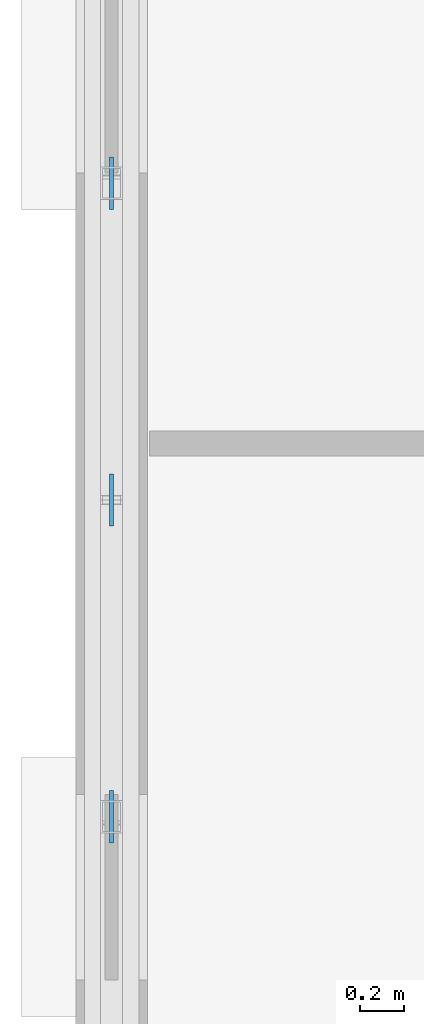
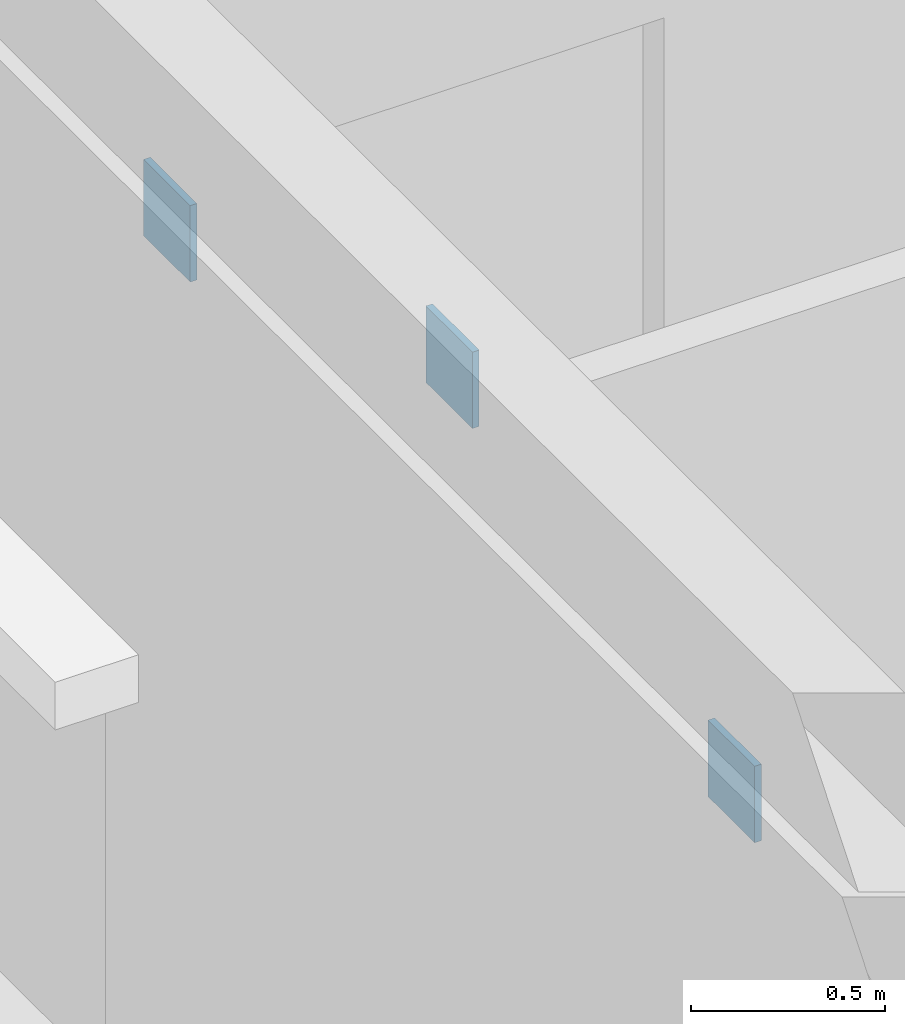
# One storey, part 69 of 138: 3 plates.
"""IFC4 building model written with IfcOpenShell, lengths in metres."""

from ifc_helpers import new_model, si_unit, direction, frame, origin, origin_2d, place, context, subcontext, project, spatial, rectangle, extrude, material, layer, layer_set, type_object, element, save


model = new_model("IFC4")

# Units and contexts
model_context = context("Model", 3, precision=1e-05, world=origin(), true_north=direction((0.0, 1.0)))
body_context = subcontext(model_context, "Body", "Model", "MODEL_VIEW")
ifc_project = project(units=[si_unit("LENGTHUNIT", "METRE"), si_unit("AREAUNIT", "SQUARE_METRE"), si_unit("VOLUMEUNIT", "CUBIC_METRE"), si_unit("PLANEANGLEUNIT", "RADIAN"), si_unit("MASSUNIT", "GRAM", prefix="KILO"), si_unit("THERMODYNAMICTEMPERATUREUNIT", "KELVIN"), si_unit("POWERUNIT", "WATT")], contexts=[model_context])

# Site, building, storey
site_placement = place(None, origin())
site = spatial("IfcSite", under=ifc_project, at=site_placement, CompositionType="ELEMENT")
building_placement = place(site_placement, origin())
building = spatial("IfcBuilding", under=site, at=building_placement, Name="Tavuni Mirador Residences", CompositionType="ELEMENT")
storey_placement = place(building_placement, origin())
storey = spatial("IfcBuildingStorey", under=building, at=storey_placement, Name="L00", CompositionType="ELEMENT", Elevation=0.0)

# Plates
ifc_material = material(Name="Structural steel S355", Category="steel")
ifc_layer = layer(ifc_material, 0.01806640625, Name="Structural steel S355", Category="steel")
ifc_layer_set = layer_set([ifc_layer], Name="Structural steel S355")
plate_type = type_object("IfcPlateType", Name="PLT-GP05", PredefinedType="USERDEFINED", material=ifc_layer_set)
for number, where, z_axis, x_axis, name in (
    (1, (3.60009765625, 66.947998046875, 3.509765625), (0.0, 0.0, 1.0), (1.0, 0.0, 0.0), "ARCH-BLKB-W-00-GQ1"),
    (2, (3.60009765625, 68.39990234375, 3.93017578125), (0.0, 0.0, 1.0), (1.0, 0.0, 0.0), "ARCH-BLKB-W-00-GCR"),
    (3, (3.60009765625, 69.85205078125, 3.509765625), (0.0, 0.0, 1.0), (1.0, 0.0, 0.0), "ARCH-BLKB-W-00-GQ2"),
):
    element("IfcPlate", number, at=place(storey_placement, frame(where, z_axis=z_axis, x_axis=x_axis)), inside=storey, type_object=plate_type, Name=name, ObjectType="GUSSET PLATE", PredefinedType="USERDEFINED", context=body_context, shape_type="SweptSolid", body=[
        extrude(rectangle(XDim=0.02001953125, YDim=0.239990234375, at=origin_2d()), origin(), (0.0, 0.0, 1.0), 0.239990234375),
    ])

save(model, "model.ifc")
